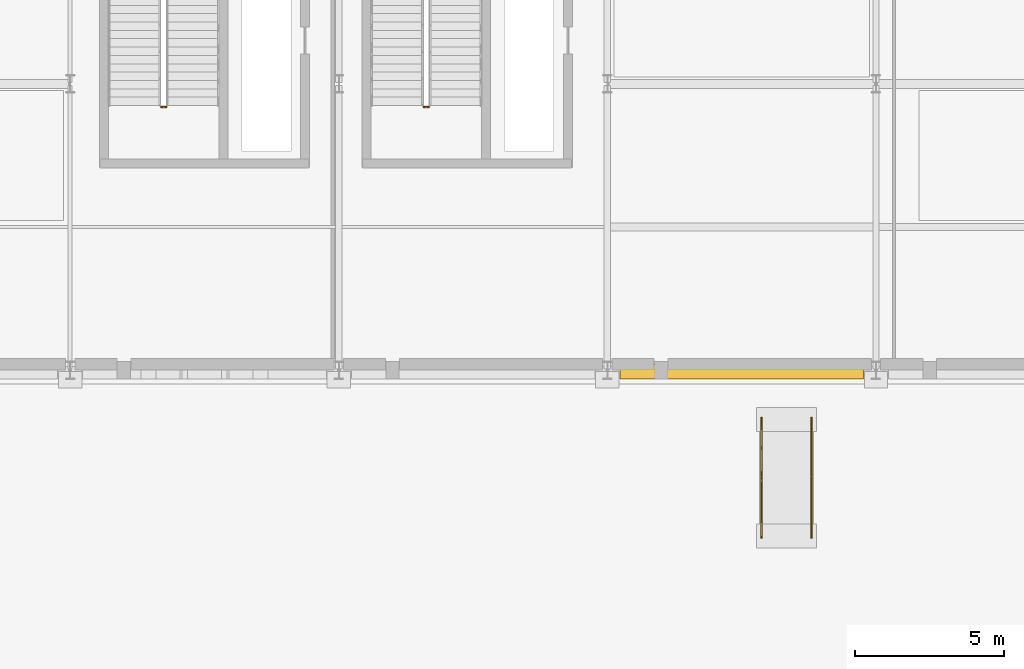
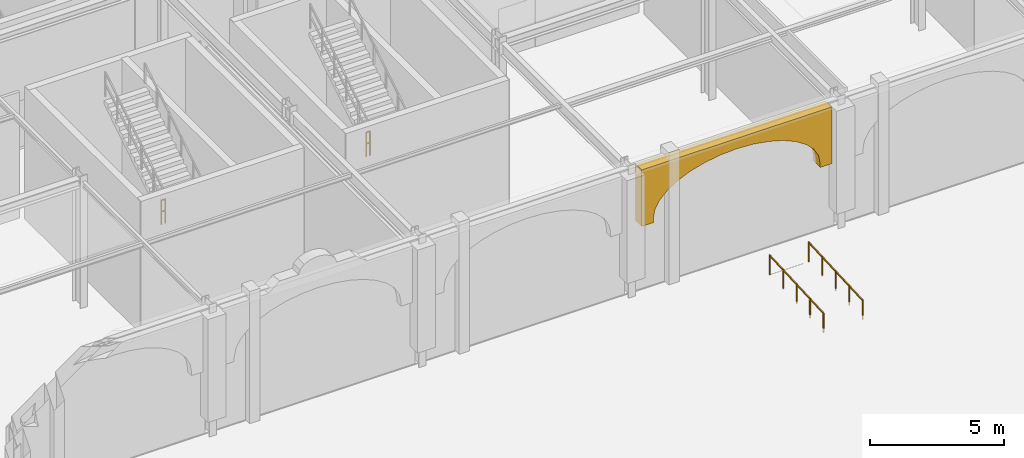
# One storey, part 104 of 113: 4 railings, 1 covering.
"""IFC4 building model written with IfcOpenShell, lengths in metres."""

from ifc_helpers import new_model, si_unit, direction, frame, origin, origin_2d, place, context, subcontext, project, spatial, polyline, rectangle, outline, extrude, material, layer, layer_set, type_object, element, save


model = new_model("IFC4")

# Units and contexts
model_context = context("Model", 3, precision=1e-05, world=origin(), true_north=direction((0.0, 1.0)))
body_context = subcontext(model_context, "Body", "Model", "MODEL_VIEW")
ifc_project = project(units=[si_unit("LENGTHUNIT", "METRE"), si_unit("AREAUNIT", "SQUARE_METRE"), si_unit("VOLUMEUNIT", "CUBIC_METRE"), si_unit("PLANEANGLEUNIT", "RADIAN"), si_unit("MASSUNIT", "GRAM", prefix="KILO")], contexts=[model_context])

# Site, building, storey
site_placement = place(None, origin())
site = spatial("IfcSite", under=ifc_project, at=site_placement, CompositionType="ELEMENT")
building_placement = place(site_placement, origin())
building = spatial("IfcBuilding", under=site, at=building_placement, Name="Myrtia Square Station", CompositionType="ELEMENT")
storey_placement = place(building_placement, origin())
storey = spatial("IfcBuildingStorey", under=building, at=storey_placement, Name="L00", CompositionType="ELEMENT", Elevation=0.0)

# Covering
ifc_material_1 = material(Name="Pentelic marble ashlar", Category="masonry")
ifc_layer = layer(ifc_material_1, 0.4599609375, Name="Pentelic marble ashlar")
ifc_layer_set = layer_set([ifc_layer], Name="Pentelic marble ashlar")
covering_type = type_object("IfcCoveringType", Name="COV-ARCH-ASHLAR", PredefinedType="CLADDING", material=ifc_layer_set)
covering_placement = place(storey_placement, frame((144.419921875, 86.35009765625, 3.050048828125), z_axis=(0.0, 0.0, 1.0), x_axis=(1.0, 0.0, 0.0)))
element("IfcCovering", 1, at=covering_placement, inside=storey, type_object=covering_type, Name="North square portales arcade arch 033", PredefinedType="CLADDING", context=body_context, shape_type="SweptSolid", body=[
    extrude(outline(polyline([(0.0, 0.0), (0.5, 0.0), (0.5, 0.199951171875), (0.56884765625, 0.570556640625), (0.7724609375, 0.927001953125), (1.103271484375, 1.255615234375), (1.548583984375, 1.54345703125), (2.091064453125, 1.77978515625), (2.7099609375, 1.955322265625), (3.381591796875, 2.0634765625), (4.080078125, 2.099853515625), (4.778564453125, 2.0634765625), (5.4501953125, 1.955322265625), (6.069091796875, 1.77978515625), (6.611572265625, 1.54345703125), (7.056884765625, 1.255615234375), (7.3876953125, 0.927001953125), (7.59130859375, 0.570556640625), (7.66015625, 0.199951171875), (7.66015625, 0.0), (8.16015625, 0.0), (8.16015625, 2.570068359375), (0.0, 2.570068359375), (0.0, 0.0)])), frame((0.0, 0.239990234375, 0.0), z_axis=(0.0, -1.0, 0.0), x_axis=(1.0, 0.0, 0.0)), (0.0, 0.0, 1.0), 0.47998046875),
])

# Railings
ifc_material_2 = material(Name="Dark bronze anodised aluminium", Category="aluminium")
railing_type_1 = type_object("IfcRailingType", Name="RL-HANDRAIL-900", PredefinedType="HANDRAIL", material=ifc_material_2)
for number, where, name in (
    (2, (149.159912109375, 80.800048828125, -0.199951171875), "Accessible ramp handrail RP4-L"),
    (3, (150.840087890625, 80.800048828125, -0.199951171875), "Accessible ramp handrail RP4-R"),
):
    element("IfcRailing", number, at=place(storey_placement, frame(where)), inside=storey, type_object=railing_type_1, Name=name, PredefinedType="HANDRAIL", context=body_context, shape_type="SweptSolid", body=[
        extrude(rectangle(XDim=0.048095703125, YDim=0.048095703125, at=origin_2d()), frame((0.0, 0.03466796875, 0.877685546875), z_axis=(0.0, 0.998752946874, 0.049925455535), x_axis=(-1.0, 0.0, 0.0)), (0.0, 0.0, 1.0), 0.931884765625),
        extrude(rectangle(XDim=0.048095703125, YDim=0.048095703125, at=origin_2d()), frame((0.0, 1.03466796875, 0.927490234375), z_axis=(0.0, 0.998752946874, 0.049925455535), x_axis=(-1.0, 0.0, 0.0)), (0.0, 0.0, 1.0), 0.931884765625),
        extrude(rectangle(XDim=0.048095703125, YDim=0.048095703125, at=origin_2d()), frame((0.0, 2.03466796875, 0.9775390625), z_axis=(0.0, 0.998752946874, 0.049925455535), x_axis=(-1.0, 0.0, 0.0)), (0.0, 0.0, 1.0), 0.931884765625),
        extrude(rectangle(XDim=0.048095703125, YDim=0.048095703125, at=origin_2d()), frame((0.0, 3.03466796875, 1.027587890625), z_axis=(0.0, 0.998752946874, 0.049925455535), x_axis=(-1.0, 0.0, 0.0)), (0.0, 0.0, 1.0), 0.931884765625),
        extrude(rectangle(XDim=0.0439453125, YDim=0.0439453125, at=origin_2d()), origin(), (0.0, 0.0, 1.0), 0.89990234375),
        extrude(rectangle(XDim=0.0439453125, YDim=0.0439453125, at=origin_2d()), frame((0.0, 1.0, 0.050048828125)), (0.0, 0.0, 1.0), 0.89990234375),
        extrude(rectangle(XDim=0.0439453125, YDim=0.0439453125, at=origin_2d()), frame((0.0, 2.0, 0.10009765625)), (0.0, 0.0, 1.0), 0.89990234375),
        extrude(rectangle(XDim=0.0439453125, YDim=0.0439453125, at=origin_2d()), frame((0.0, 3.0, 0.14990234375)), (0.0, 0.0, 1.0), 0.89990234375),
        extrude(rectangle(XDim=0.0439453125, YDim=0.0439453125, at=origin_2d()), frame((0.0, 4.0, 0.199951171875)), (0.0, 0.0, 1.0), 0.89990234375),
    ])
ifc_material_3 = material(Name="Wrought iron", Category="steel")
railing_type_2 = type_object("IfcRailingType", Name="RL-INT-GUARD-1100", PredefinedType="BALUSTRADE", material=ifc_material_3)
for number, where, name in (
    (4, (129.050048828125, 95.219970703125, 3.0), "L00 ST12 stair guard 2"),
    (5, (137.85009765625, 95.219970703125, 3.0), "L00 ST13 stair guard 2"),
):
    element("IfcRailing", number, at=place(storey_placement, frame(where)), inside=storey, type_object=railing_type_2, Name=name, PredefinedType="BALUSTRADE", context=body_context, shape_type="SweptSolid", body=[
        extrude(rectangle(XDim=0.048095703125, YDim=0.048095703125, at=origin_2d()), frame((0.03466796875, 0.0, 1.09619140625), z_axis=(1.0, 0.0, 0.0), x_axis=(0.0, 1.0, 0.0)), (0.0, 0.0, 1.0), 0.090576171875),
        extrude(rectangle(XDim=0.048095703125, YDim=0.048095703125, at=origin_2d()), frame((0.03466796875, 0.0, 0.58251953125), z_axis=(1.0, 0.0, 0.0), x_axis=(0.0, 1.0, 0.0)), (0.0, 0.0, 1.0), 0.090576171875),
        extrude(rectangle(XDim=0.0439453125, YDim=0.0439453125, at=origin_2d()), origin(), (0.0, 0.0, 1.0), 1.1201171875),
        extrude(rectangle(XDim=0.0439453125, YDim=0.0439453125, at=origin_2d()), frame((0.159912109375, 0.0, 0.0)), (0.0, 0.0, 1.0), 1.1201171875),
    ])

save(model, "model.ifc")
